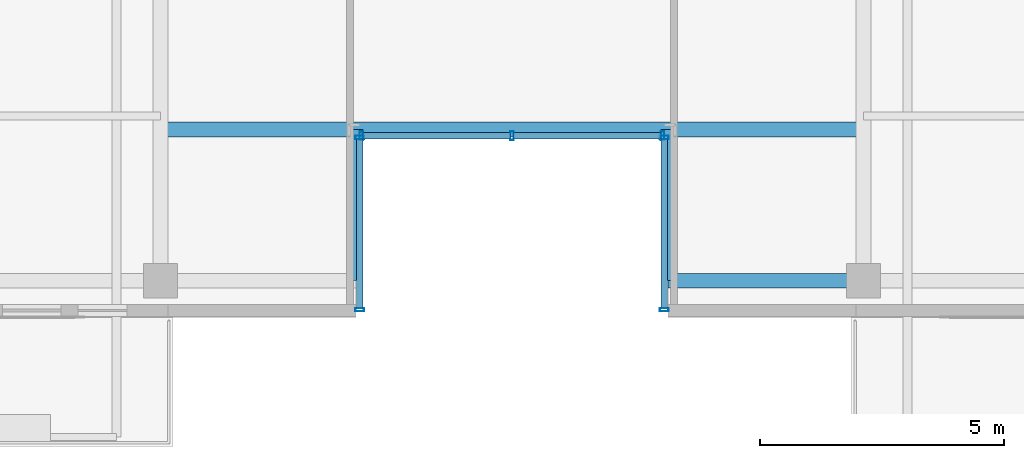
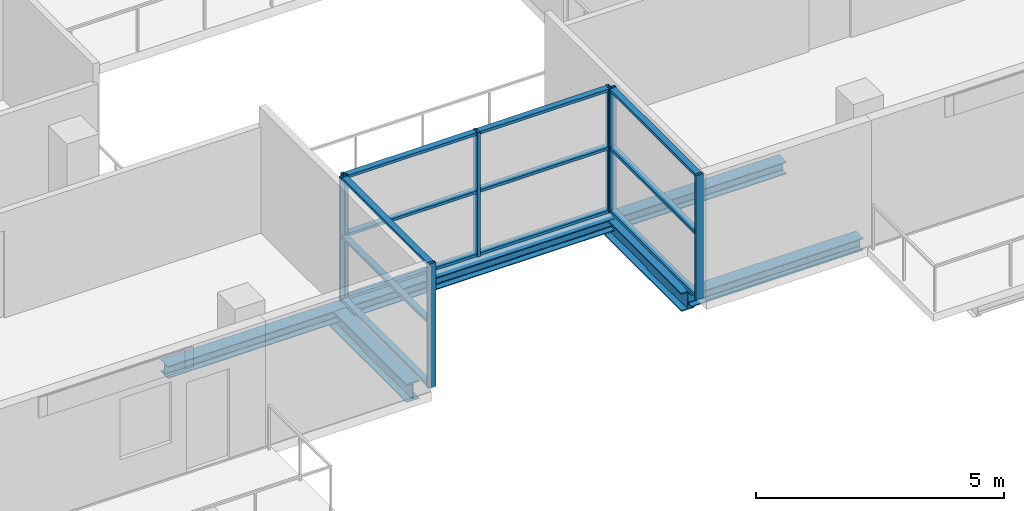
# One storey, part 3 of 21: 19 members, 4 beams, 3 elements without a shape of their own.
"""IFC4 building model written with IfcOpenShell, lengths in metres."""

from ifc_helpers import new_model, si_unit, direction, frame, origin, origin_2d, place, context, subcontext, project, spatial, hollow_rectangle, i_section, extrude, source, transform, mapped, material, layer, layer_set, material_profile, profile_set, type_object, element, aggregate, save


model = new_model("IFC4")

# Units and contexts
model_context = context("Model", 3, precision=1e-05, world=origin(), true_north=direction((0.0, 1.0)))
body_context = subcontext(model_context, "Body", "Model", "MODEL_VIEW")
ifc_project = project(units=[si_unit("LENGTHUNIT", "METRE"), si_unit("AREAUNIT", "SQUARE_METRE"), si_unit("VOLUMEUNIT", "CUBIC_METRE"), si_unit("PLANEANGLEUNIT", "RADIAN"), si_unit("MASSUNIT", "GRAM", prefix="KILO")], contexts=[model_context])

# Site, building, storey
site_placement = place(None, origin())
site = spatial("IfcSite", under=ifc_project, at=site_placement, CompositionType="ELEMENT")
building_placement = place(site_placement, origin())
building = spatial("IfcBuilding", under=site, at=building_placement, Name="Zarnakvel Exchange Tower", CompositionType="ELEMENT")
storey_placement = place(building_placement, frame((0.0, 0.0, 255.10009765625)))
storey = spatial("IfcBuildingStorey", under=building, at=storey_placement, Name="L72", CompositionType="ELEMENT", Elevation=255.10009765625)

# Beams
ifc_material_1 = material(Name="Steel S355", Category="steel")
ifc_material_profile_1 = material_profile(ifc_material_1, i_section(OverallWidth=0.300048828125, OverallDepth=0.449951171875, WebThickness=0.013916015625, FlangeThickness=0.02587890625, FilletRadius=0.027099609375, at=origin_2d()))
ifc_profile_set_1 = profile_set([ifc_material_profile_1], Name="Steel S355")
beam_type_1 = type_object("IfcBeamType", Name="G-07", PredefinedType="BEAM", material=ifc_profile_set_1)
for number, where, z_axis, x_axis, name in (
    (1, (-3.199951171875, -16.35009765625, -0.4501953125), (0.0, 1.0, 0.0), (-1.0, 0.0, 0.0), "L72 South Slot West Cheek Beam"),
    (2, (3.199951171875, -16.35009765625, -0.4501953125), (0.0, 1.0, 0.0), (-1.0, 0.0, 0.0), "L72 South Slot East Cheek Beam"),
):
    element("IfcBeam", number, at=place(storey_placement, frame(where, z_axis=z_axis, x_axis=x_axis)), inside=storey, type_object=beam_type_1, Name=name, PredefinedType="BEAM", context=body_context, shape_type="SweptSolid", body=[
        extrude(i_section(OverallWidth=0.300048828125, OverallDepth=0.449951171875, WebThickness=0.013916015625, FlangeThickness=0.02587890625, FilletRadius=0.027099609375, at=origin_2d()), origin(), (0.0, 0.0, 1.0), 3.10009765625),
    ])
ifc_material_profile_2 = material_profile(ifc_material_1, i_section(OverallWidth=0.300048828125, OverallDepth=0.300048828125, WebThickness=0.010986328125, FlangeThickness=0.01904296875, FilletRadius=0.027099609375, at=origin_2d()))
ifc_profile_set_2 = profile_set([ifc_material_profile_2], Name="Steel S355")
beam_type_2 = type_object("IfcBeamType", Name="SP-03", PredefinedType="SPANDREL", material=ifc_profile_set_2)
beam_1_placement = place(storey_placement, frame((3.199951171875, -16.35009765625, -0.375), z_axis=(1.0, 0.0, 0.0), x_axis=(0.0, 1.0, 0.0)))
element("IfcBeam", 3, at=beam_1_placement, inside=storey, type_object=beam_type_2, Name="L72 South Slot East Jamb Spandrel", PredefinedType="SPANDREL", context=body_context, shape_type="SweptSolid", body=[
    extrude(i_section(OverallWidth=0.300048828125, OverallDepth=0.300048828125, WebThickness=0.010986328125, FlangeThickness=0.01904296875, FilletRadius=0.027099609375, at=origin_2d()), origin(), (0.0, 0.0, 1.0), 4.0),
])
beam_2_placement = place(storey_placement, frame((-7.199951171875, -13.25, -0.375), z_axis=(1.0, 0.0, 0.0), x_axis=(0.0, 1.0, 0.0)))
element("IfcBeam", 4, at=beam_2_placement, inside=storey, type_object=beam_type_2, Name="L72 South Slot Head Trimmer Girder", PredefinedType="SPANDREL", context=body_context, shape_type="SweptSolid", body=[
    extrude(i_section(OverallWidth=0.300048828125, OverallDepth=0.300048828125, WebThickness=0.010986328125, FlangeThickness=0.01904296875, FilletRadius=0.027099609375, at=origin_2d()), origin(), (0.0, 0.0, 1.0), 14.39990234375),
])

# Curtain wall, members
ifc_material_2 = material(Name="Architectural Bronze Anodised Aluminium", Category="aluminium")
ifc_layer = layer(ifc_material_2, 0.179931640625)
ifc_layer_set = layer_set([ifc_layer], Name="Architectural Bronze Anodised Aluminium")
curtain_wall_type = type_object("IfcCurtainWallType", Name="CW-05", PredefinedType="NOTDEFINED", material=ifc_layer_set)
curtain_wall_1_placement = place(storey_placement, origin())
curtain_wall_1 = element("IfcCurtainWall", 5, at=curtain_wall_1_placement, inside=storey, type_object=curtain_wall_type, Name="L72 Curtain Wall CW-L72-SLW (CW-05)", PredefinedType="NOTDEFINED")
ifc_material_profile_3 = material_profile(ifc_material_2, hollow_rectangle(XDim=0.139892578125, YDim=0.070068359375, WallThickness=0.00390625, at=origin_2d()))
ifc_profile_set_3 = profile_set([ifc_material_profile_3], Name="Architectural Bronze Anodised Aluminium")
member_type_1 = type_object("IfcMemberType", Name="CWT-05", PredefinedType="USERDEFINED", material=ifc_profile_set_3)
shared_shape_1 = source(origin(), body_context, "Body", "SweptSolid", [
    extrude(hollow_rectangle(XDim=0.139892578125, YDim=0.070068359375, WallThickness=0.00390625, at=origin_2d()), origin(), (0.0, 0.0, 1.0), 3.4599609375),
])
member_1_placement = place(storey_placement, frame((-3.1201171875, -16.909912109375, 0.034912109375), z_axis=(0.0, 1.0, 0.0), x_axis=(-1.0, 0.0, 0.0)))
member_1 = element("IfcMember", 6, at=member_1_placement, type_object=member_type_1, Name="CW-05 transom 1.1", ObjectType="TRANSOM", PredefinedType="USERDEFINED", context=body_context, shape_type="MappedRepresentation", body=[
    mapped(shared_shape_1, transform((0.0, 0.0, 0.0), x_axis=(1.0, 0.0, 0.0), y_axis=(0.0, 1.0, 0.0), z_axis=(0.0, 0.0, 1.0), scale=1.0)),
])
member_2_placement = place(storey_placement, frame((-3.1201171875, -16.909912109375, 1.588623046875), z_axis=(0.0, 1.0, 0.0), x_axis=(-1.0, 0.0, 0.0)))
member_2 = element("IfcMember", 7, at=member_2_placement, type_object=member_type_1, Name="CW-05 transom 1.2", ObjectType="TRANSOM", PredefinedType="USERDEFINED", context=body_context, shape_type="MappedRepresentation", body=[
    mapped(shared_shape_1, transform((0.0, 0.0, 0.0), x_axis=(1.0, 0.0, 0.0), y_axis=(0.0, 1.0, 0.0), z_axis=(0.0, 0.0, 1.0), scale=1.0)),
])
member_3_placement = place(storey_placement, frame((-3.1201171875, -16.909912109375, 3.02001953125), z_axis=(0.0, 1.0, 0.0), x_axis=(-1.0, 0.0, 0.0)))
member_3 = element("IfcMember", 8, at=member_3_placement, type_object=member_type_1, Name="CW-05 transom 1.3", ObjectType="TRANSOM", PredefinedType="USERDEFINED", context=body_context, shape_type="MappedRepresentation", body=[
    mapped(shared_shape_1, transform((0.0, 0.0, 0.0), x_axis=(1.0, 0.0, 0.0), y_axis=(0.0, 1.0, 0.0), z_axis=(0.0, 0.0, 1.0), scale=1.0)),
])

curtain_wall_2_placement = place(storey_placement, origin())
curtain_wall_2 = element("IfcCurtainWall", 9, at=curtain_wall_2_placement, inside=storey, type_object=curtain_wall_type, Name="L72 Curtain Wall CW-L72-SLE (CW-05)", PredefinedType="NOTDEFINED")
member_4_placement = place(storey_placement, frame((3.1201171875, -13.449951171875, 0.034912109375), z_axis=(0.0, -1.0, 0.0), x_axis=(1.0, 0.0, 0.0)))
member_4 = element("IfcMember", 10, at=member_4_placement, type_object=member_type_1, Name="CW-05 transom 1.1", ObjectType="TRANSOM", PredefinedType="USERDEFINED", context=body_context, shape_type="MappedRepresentation", body=[
    mapped(shared_shape_1, transform((0.0, 0.0, 0.0), x_axis=(1.0, 0.0, 0.0), y_axis=(0.0, 1.0, 0.0), z_axis=(0.0, 0.0, 1.0), scale=1.0)),
])
member_5_placement = place(storey_placement, frame((3.1201171875, -13.449951171875, 1.588623046875), z_axis=(0.0, -1.0, 0.0), x_axis=(1.0, 0.0, 0.0)))
member_5 = element("IfcMember", 11, at=member_5_placement, type_object=member_type_1, Name="CW-05 transom 1.2", ObjectType="TRANSOM", PredefinedType="USERDEFINED", context=body_context, shape_type="MappedRepresentation", body=[
    mapped(shared_shape_1, transform((0.0, 0.0, 0.0), x_axis=(1.0, 0.0, 0.0), y_axis=(0.0, 1.0, 0.0), z_axis=(0.0, 0.0, 1.0), scale=1.0)),
])
member_6_placement = place(storey_placement, frame((3.1201171875, -13.449951171875, 3.02001953125), z_axis=(0.0, -1.0, 0.0), x_axis=(1.0, 0.0, 0.0)))
member_6 = element("IfcMember", 12, at=member_6_placement, type_object=member_type_1, Name="CW-05 transom 1.3", ObjectType="TRANSOM", PredefinedType="USERDEFINED", context=body_context, shape_type="MappedRepresentation", body=[
    mapped(shared_shape_1, transform((0.0, 0.0, 0.0), x_axis=(1.0, 0.0, 0.0), y_axis=(0.0, 1.0, 0.0), z_axis=(0.0, 0.0, 1.0), scale=1.0)),
])

curtain_wall_3_placement = place(storey_placement, origin())
curtain_wall_3 = element("IfcCurtainWall", 13, at=curtain_wall_3_placement, inside=storey, type_object=curtain_wall_type, Name="L72 Curtain Wall CW-L72-SLB (CW-05)", PredefinedType="NOTDEFINED")
shared_shape_2 = source(origin(), body_context, "Body", "SweptSolid", [
    extrude(hollow_rectangle(XDim=0.139892578125, YDim=0.070068359375, WallThickness=0.00390625, at=origin_2d()), origin(), (0.0, 0.0, 1.0), 3.01513671875),
])
member_7_placement = place(storey_placement, frame((-3.050048828125, -13.3798828125, 0.034912109375), z_axis=(1.0, 0.0, 0.0), x_axis=(0.0, 1.0, 0.0)))
member_7 = element("IfcMember", 14, at=member_7_placement, type_object=member_type_1, Name="CW-05 transom 1.1", ObjectType="TRANSOM", PredefinedType="USERDEFINED", context=body_context, shape_type="MappedRepresentation", body=[
    mapped(shared_shape_2, transform((0.0, 0.0, 0.0), x_axis=(1.0, 0.0, 0.0), y_axis=(0.0, 1.0, 0.0), z_axis=(0.0, 0.0, 1.0), scale=1.0)),
])
member_8_placement = place(storey_placement, frame((-3.050048828125, -13.3798828125, 1.588623046875), z_axis=(1.0, 0.0, 0.0), x_axis=(0.0, 1.0, 0.0)))
member_8 = element("IfcMember", 15, at=member_8_placement, type_object=member_type_1, Name="CW-05 transom 1.2", ObjectType="TRANSOM", PredefinedType="USERDEFINED", context=body_context, shape_type="MappedRepresentation", body=[
    mapped(shared_shape_2, transform((0.0, 0.0, 0.0), x_axis=(1.0, 0.0, 0.0), y_axis=(0.0, 1.0, 0.0), z_axis=(0.0, 0.0, 1.0), scale=1.0)),
])
member_9_placement = place(storey_placement, frame((-3.050048828125, -13.3798828125, 3.02001953125), z_axis=(1.0, 0.0, 0.0), x_axis=(0.0, 1.0, 0.0)))
member_9 = element("IfcMember", 16, at=member_9_placement, type_object=member_type_1, Name="CW-05 transom 1.3", ObjectType="TRANSOM", PredefinedType="USERDEFINED", context=body_context, shape_type="MappedRepresentation", body=[
    mapped(shared_shape_2, transform((0.0, 0.0, 0.0), x_axis=(1.0, 0.0, 0.0), y_axis=(0.0, 1.0, 0.0), z_axis=(0.0, 0.0, 1.0), scale=1.0)),
])
member_10_placement = place(storey_placement, frame((0.034912109375, -13.3798828125, 0.034912109375), z_axis=(1.0, 0.0, 0.0), x_axis=(0.0, 1.0, 0.0)))
member_10 = element("IfcMember", 17, at=member_10_placement, type_object=member_type_1, Name="CW-05 transom 2.1", ObjectType="TRANSOM", PredefinedType="USERDEFINED", context=body_context, shape_type="MappedRepresentation", body=[
    mapped(shared_shape_2, transform((0.0, 0.0, 0.0), x_axis=(1.0, 0.0, 0.0), y_axis=(0.0, 1.0, 0.0), z_axis=(0.0, 0.0, 1.0), scale=1.0)),
])
member_11_placement = place(storey_placement, frame((0.034912109375, -13.3798828125, 1.588623046875), z_axis=(1.0, 0.0, 0.0), x_axis=(0.0, 1.0, 0.0)))
member_11 = element("IfcMember", 18, at=member_11_placement, type_object=member_type_1, Name="CW-05 transom 2.2", ObjectType="TRANSOM", PredefinedType="USERDEFINED", context=body_context, shape_type="MappedRepresentation", body=[
    mapped(shared_shape_2, transform((0.0, 0.0, 0.0), x_axis=(1.0, 0.0, 0.0), y_axis=(0.0, 1.0, 0.0), z_axis=(0.0, 0.0, 1.0), scale=1.0)),
])
member_12_placement = place(storey_placement, frame((0.034912109375, -13.3798828125, 3.02001953125), z_axis=(1.0, 0.0, 0.0), x_axis=(0.0, 1.0, 0.0)))
member_12 = element("IfcMember", 19, at=member_12_placement, type_object=member_type_1, Name="CW-05 transom 2.3", ObjectType="TRANSOM", PredefinedType="USERDEFINED", context=body_context, shape_type="MappedRepresentation", body=[
    mapped(shared_shape_2, transform((0.0, 0.0, 0.0), x_axis=(1.0, 0.0, 0.0), y_axis=(0.0, 1.0, 0.0), z_axis=(0.0, 0.0, 1.0), scale=1.0)),
])

# Member
ifc_material_profile_4 = material_profile(ifc_material_2, hollow_rectangle(XDim=0.179931640625, YDim=0.070068359375, WallThickness=0.00390625, at=origin_2d()))
ifc_profile_set_4 = profile_set([ifc_material_profile_4], Name="Architectural Bronze Anodised Aluminium")
member_type_2 = type_object("IfcMemberType", Name="CWM-05", PredefinedType="MULLION", material=ifc_profile_set_4)
shared_shape_3 = source(origin(), body_context, "Body", "SweptSolid", [
    extrude(hollow_rectangle(XDim=0.179931640625, YDim=0.070068359375, WallThickness=0.00390625, at=origin_2d()), origin(), (0.0, 0.0, 1.0), 3.054931640625),
])
member_13_placement = place(storey_placement, frame((-3.1201171875, -16.945068359375, 0.0), z_axis=(0.0, 0.0, 1.0), x_axis=(-1.0, 0.0, 0.0)))
member_13 = element("IfcMember", 20, at=member_13_placement, type_object=member_type_2, Name="CW-05 mullion 1", PredefinedType="MULLION", context=body_context, shape_type="MappedRepresentation", body=[
    mapped(shared_shape_3, transform((0.0, 0.0, 0.0), x_axis=(1.0, 0.0, 0.0), y_axis=(0.0, 1.0, 0.0), z_axis=(0.0, 0.0, 1.0), scale=1.0)),
])

member_14_placement = place(storey_placement, frame((-3.1201171875, -13.4150390625, 0.0), z_axis=(0.0, 0.0, 1.0), x_axis=(-1.0, 0.0, 0.0)))
member_14 = element("IfcMember", 21, at=member_14_placement, type_object=member_type_2, Name="CW-05 mullion 2", PredefinedType="MULLION", context=body_context, shape_type="MappedRepresentation", body=[
    mapped(shared_shape_3, transform((0.0, 0.0, 0.0), x_axis=(1.0, 0.0, 0.0), y_axis=(0.0, 1.0, 0.0), z_axis=(0.0, 0.0, 1.0), scale=1.0)),
])

aggregate(curtain_wall_1, [member_13, member_14, member_1, member_2, member_3])

member_15_placement = place(storey_placement, frame((-3.0849609375, -13.3798828125, 0.0), z_axis=(0.0, 0.0, 1.0), x_axis=(0.0, 1.0, 0.0)))
member_15 = element("IfcMember", 22, at=member_15_placement, type_object=member_type_2, Name="CW-05 mullion 1", PredefinedType="MULLION", context=body_context, shape_type="MappedRepresentation", body=[
    mapped(shared_shape_3, transform((0.0, 0.0, 0.0), x_axis=(1.0, 0.0, 0.0), y_axis=(0.0, 1.0, 0.0), z_axis=(0.0, 0.0, 1.0), scale=1.0)),
])

member_16_placement = place(storey_placement, frame((0.0, -13.3798828125, 0.0), z_axis=(0.0, 0.0, 1.0), x_axis=(0.0, 1.0, 0.0)))
member_16 = element("IfcMember", 23, at=member_16_placement, type_object=member_type_2, Name="CW-05 mullion 2", PredefinedType="MULLION", context=body_context, shape_type="MappedRepresentation", body=[
    mapped(shared_shape_3, transform((0.0, 0.0, 0.0), x_axis=(1.0, 0.0, 0.0), y_axis=(0.0, 1.0, 0.0), z_axis=(0.0, 0.0, 1.0), scale=1.0)),
])

member_17_placement = place(storey_placement, frame((3.0849609375, -13.3798828125, 0.0), z_axis=(0.0, 0.0, 1.0), x_axis=(0.0, 1.0, 0.0)))
member_17 = element("IfcMember", 24, at=member_17_placement, type_object=member_type_2, Name="CW-05 mullion 3", PredefinedType="MULLION", context=body_context, shape_type="MappedRepresentation", body=[
    mapped(shared_shape_3, transform((0.0, 0.0, 0.0), x_axis=(1.0, 0.0, 0.0), y_axis=(0.0, 1.0, 0.0), z_axis=(0.0, 0.0, 1.0), scale=1.0)),
])

aggregate(curtain_wall_3, [member_15, member_16, member_17, member_7, member_8, member_9, member_10, member_11, member_12])

member_18_placement = place(storey_placement, frame((3.1201171875, -13.4150390625, 0.0), z_axis=(0.0, 0.0, 1.0), x_axis=(1.0, 0.0, 0.0)))
member_18 = element("IfcMember", 25, at=member_18_placement, type_object=member_type_2, Name="CW-05 mullion 1", PredefinedType="MULLION", context=body_context, shape_type="MappedRepresentation", body=[
    mapped(shared_shape_3, transform((0.0, 0.0, 0.0), x_axis=(1.0, 0.0, 0.0), y_axis=(0.0, 1.0, 0.0), z_axis=(0.0, 0.0, 1.0), scale=1.0)),
])

member_19_placement = place(storey_placement, frame((3.1201171875, -16.945068359375, 0.0), z_axis=(0.0, 0.0, 1.0), x_axis=(1.0, 0.0, 0.0)))
member_19 = element("IfcMember", 26, at=member_19_placement, type_object=member_type_2, Name="CW-05 mullion 2", PredefinedType="MULLION", context=body_context, shape_type="MappedRepresentation", body=[
    mapped(shared_shape_3, transform((0.0, 0.0, 0.0), x_axis=(1.0, 0.0, 0.0), y_axis=(0.0, 1.0, 0.0), z_axis=(0.0, 0.0, 1.0), scale=1.0)),
])

aggregate(curtain_wall_2, [member_18, member_19, member_4, member_5, member_6])

save(model, "model.ifc")
